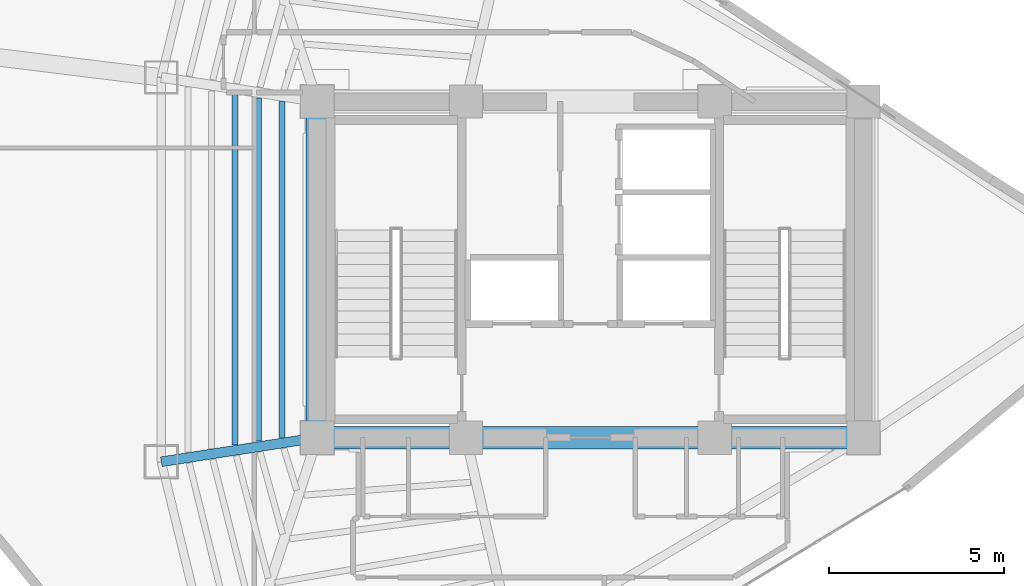
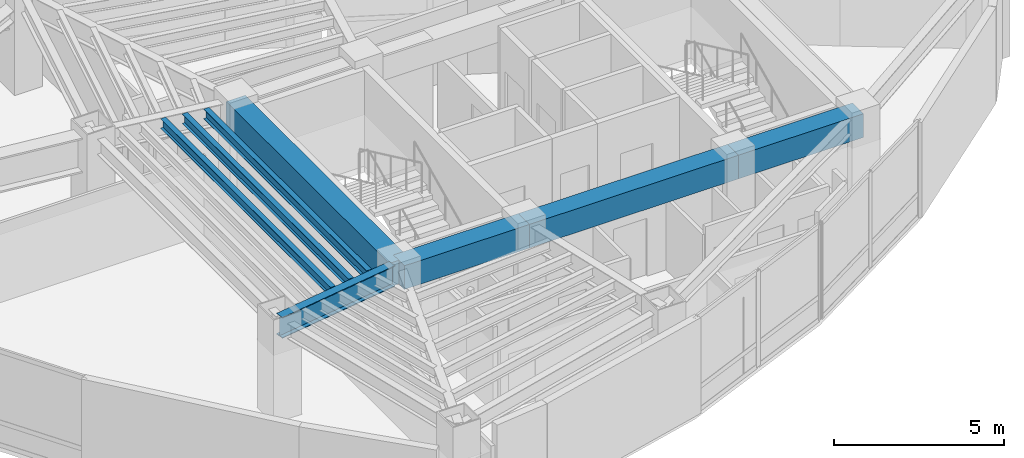
# One storey, part 5 of 16: 8 beams.
"""IFC4 building model written with IfcOpenShell, lengths in metres."""

from ifc_helpers import new_model, si_unit, direction, frame, origin, origin_2d, place, context, subcontext, project, spatial, rectangle, i_section, extrude, material, material_profile, profile_set, type_object, element, save


model = new_model("IFC4")

# Units and contexts
model_context = context("Model", 3, precision=1e-05, world=origin(), true_north=direction((0.0, 1.0)))
body_context = subcontext(model_context, "Body", "Model", "MODEL_VIEW")
ifc_project = project(units=[si_unit("LENGTHUNIT", "METRE"), si_unit("AREAUNIT", "SQUARE_METRE"), si_unit("VOLUMEUNIT", "CUBIC_METRE"), si_unit("PLANEANGLEUNIT", "RADIAN"), si_unit("MASSUNIT", "GRAM", prefix="KILO")], contexts=[model_context])

# Site, building, storey
site_placement = place(None, origin())
site = spatial("IfcSite", under=ifc_project, at=site_placement, CompositionType="ELEMENT")
building_placement = place(site_placement, origin())
building = spatial("IfcBuilding", under=site, at=building_placement, Name="Menara Vayukalpa", CompositionType="ELEMENT")
storey_placement = place(building_placement, frame((0.0, 0.0, 202.679931640625)))
storey = spatial("IfcBuildingStorey", under=building, at=storey_placement, Name="L51", CompositionType="ELEMENT", Elevation=202.679931640625)

# Beams
ifc_material_1 = material(Name="Concrete C60/75", Category="concrete")
ifc_material_profile_1 = material_profile(ifc_material_1, rectangle(XDim=0.64990234375, YDim=0.85009765625, at=origin_2d()), Name="RC 650x850")
ifc_profile_set_1 = profile_set([ifc_material_profile_1], Name="Concrete C60/75")
beam_type_1 = type_object("IfcBeamType", Name="BM-CB1", PredefinedType="BEAM", material=ifc_profile_set_1)
beam_1_placement = place(storey_placement, frame((17.800048828125, 17.199951171875, 3.01513671875), z_axis=(1.0, 0.0, 0.0), x_axis=(0.0, 1.0, 0.0)))
element("IfcBeam", 1, at=beam_1_placement, inside=storey, type_object=beam_type_1, Name="L51 Core Tie Beam CBR1", PredefinedType="BEAM", context=body_context, shape_type="SweptSolid", body=[
    extrude(rectangle(XDim=0.64990234375, YDim=0.85009765625, at=origin_2d()), origin(), (0.0, 0.0, 1.0), 4.25),
])
beam_2_placement = place(storey_placement, frame((22.050048828125, 17.199951171875, 3.01513671875), z_axis=(1.0, 0.0, 0.0), x_axis=(0.0, 1.0, 0.0)))
element("IfcBeam", 2, at=beam_2_placement, inside=storey, type_object=beam_type_1, Name="L51 Core Tie Beam CBR2", PredefinedType="BEAM", context=body_context, shape_type="SweptSolid", body=[
    extrude(rectangle(XDim=0.64990234375, YDim=0.85009765625, at=origin_2d()), origin(), (0.0, 0.0, 1.0), 7.099853515625),
])
beam_3_placement = place(storey_placement, frame((29.14990234375, 17.199951171875, 3.01513671875), z_axis=(1.0, 0.0, 0.0), x_axis=(0.0, 1.0, 0.0)))
element("IfcBeam", 3, at=beam_3_placement, inside=storey, type_object=beam_type_1, Name="L51 Core Tie Beam CBR3", PredefinedType="BEAM", context=body_context, shape_type="SweptSolid", body=[
    extrude(rectangle(XDim=0.64990234375, YDim=0.85009765625, at=origin_2d()), origin(), (0.0, 0.0, 1.0), 4.25),
])
beam_4_placement = place(storey_placement, frame((17.800048828125, 17.199951171875, 3.01513671875), z_axis=(0.0, 1.0, 0.0), x_axis=(-1.0, 0.0, 0.0)))
element("IfcBeam", 4, at=beam_4_placement, inside=storey, type_object=beam_type_1, Name="L51 Core Tie Beam CBR7", PredefinedType="BEAM", context=body_context, shape_type="SweptSolid", body=[
    extrude(rectangle(XDim=0.64990234375, YDim=0.85009765625, at=origin_2d()), origin(), (0.0, 0.0, 1.0), 9.60009765625),
])
ifc_material_2 = material(Name="Steel S355", Category="steel")
ifc_material_profile_2 = material_profile(ifc_material_2, i_section(OverallWidth=0.280029296875, OverallDepth=0.75, WebThickness=0.013916015625, FlangeThickness=0.02490234375, at=origin_2d()), Name="WF 750x280x14x25")
ifc_profile_set_2 = profile_set([ifc_material_profile_2], Name="Steel S355")
beam_type_2 = type_object("IfcBeamType", Name="BM-PG4", PredefinedType="BEAM", material=ifc_profile_set_2)
beam_5_placement = place(storey_placement, frame((17.552978515625, 17.161865234375, 3.065185546875), z_axis=(-0.988244781219, -0.152879862617, 0.0), x_axis=(0.152879862617, -0.988244781219, 0.0)))
element("IfcBeam", 5, at=beam_5_placement, inside=storey, type_object=beam_type_2, Name="L51 Primary Radial Girder RG06", PredefinedType="BEAM", context=body_context, shape_type="SweptSolid", body=[
    extrude(i_section(OverallWidth=0.280029296875, OverallDepth=0.75, WebThickness=0.013916015625, FlangeThickness=0.02490234375, at=origin_2d()), origin(), (0.0, 0.0, 1.0), 4.259033203125),
])
ifc_material_3 = material(Name="Steel S355", Category="steel")
ifc_material_profile_3 = material_profile(ifc_material_3, i_section(OverallWidth=0.175048828125, OverallDepth=0.35009765625, WebThickness=0.007080078125, FlangeThickness=0.010986328125, at=origin_2d()), Name="WF 350x175x7x11")
ifc_profile_set_3 = profile_set([ifc_material_profile_3], Name="Steel S355")
beam_type_3 = type_object("IfcBeamType", Name="BM-SJ3", PredefinedType="JOIST", material=ifc_profile_set_3)
beam_6_placement = place(storey_placement, frame((16.79541015625, 26.79541015625, 3.26513671875), z_axis=(0.0, -1.0, 0.0), x_axis=(1.0, 0.0, 0.0)))
element("IfcBeam", 6, at=beam_6_placement, inside=storey, type_object=beam_type_3, Name="L51 Secondary Floor Joist SJ05-1", PredefinedType="JOIST", context=body_context, shape_type="SweptSolid", body=[
    extrude(i_section(OverallWidth=0.175048828125, OverallDepth=0.35009765625, WebThickness=0.007080078125, FlangeThickness=0.010986328125, at=origin_2d()), origin(), (0.0, 0.0, 1.0), 9.5908203125),
])
beam_7_placement = place(storey_placement, frame((16.121826171875, 26.8994140625, 3.26513671875), z_axis=(0.0, -1.0, 0.0), x_axis=(1.0, 0.0, 0.0)))
element("IfcBeam", 7, at=beam_7_placement, inside=storey, type_object=beam_type_3, Name="L51 Secondary Floor Joist SJ05-2", PredefinedType="JOIST", context=body_context, shape_type="SweptSolid", body=[
    extrude(i_section(OverallWidth=0.175048828125, OverallDepth=0.35009765625, WebThickness=0.007080078125, FlangeThickness=0.010986328125, at=origin_2d()), origin(), (0.0, 0.0, 1.0), 9.798828125),
])
beam_8_placement = place(storey_placement, frame((15.448486328125, 27.003662109375, 3.26513671875), z_axis=(0.0, -1.0, 0.0), x_axis=(1.0, 0.0, 0.0)))
element("IfcBeam", 8, at=beam_8_placement, inside=storey, type_object=beam_type_3, Name="L51 Secondary Floor Joist SJ05-3", PredefinedType="JOIST", context=body_context, shape_type="SweptSolid", body=[
    extrude(i_section(OverallWidth=0.175048828125, OverallDepth=0.35009765625, WebThickness=0.007080078125, FlangeThickness=0.010986328125, at=origin_2d()), origin(), (0.0, 0.0, 1.0), 10.00732421875),
])

save(model, "model.ifc")
